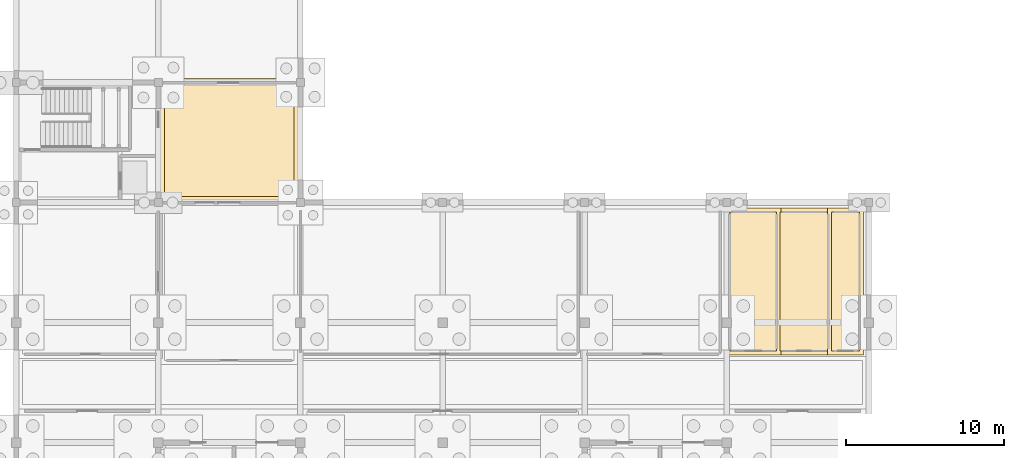
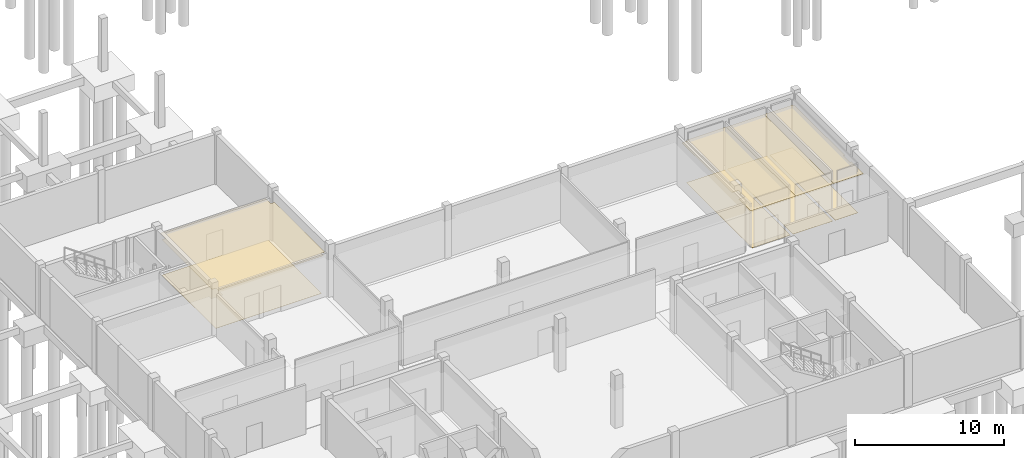
# One storey, part 27 of 28: 8 coverings.
"""IFC4 building model written with IfcOpenShell, lengths in metres."""

import ifcopenshell
import ifcopenshell.guid

model = None  # the IFC model being written
_history = None  # IfcOwnerHistory: only IFC2X3 demands one
_inside = {}  # id of a spatial element -> (the spatial element, [elements in it])
_under = {}  # id of a project, library or spatial element -> (it, [spatial elements below it])
_declared = {}  # id of a project -> (the project, [libraries it declares])
_typed = {}  # id of a type object -> (the type object, [elements of that type])
_made_of = {}  # id of a material, layer set ... -> (it, [elements and type objects made of it])


def new_model(schema):
    """Start an empty IFC model of exactly this schema.

    Asked for "IFC4X3", IfcOpenShell would pick the latest addendum, in which some entities
    have other attributes; the version numbers below select the first issue.
    IFC2X3 requires an IfcOwnerHistory on every rooted entity: one is made here for all.
    """
    global model, _history
    if schema == "IFC4X3":
        model = ifcopenshell.file(schema_version=(4, 3, 0, 0))
    else:
        model = ifcopenshell.file(schema=schema)
    _inside.clear()
    _under.clear()
    _declared.clear()
    _typed.clear()
    _made_of.clear()
    _history = None
    if model.schema == "IFC2X3":
        org = make("IfcOrganization", Name="unknown")
        user = make(
            "IfcPersonAndOrganization",
            ThePerson=make("IfcPerson", FamilyName="unknown"),
            TheOrganization=org,
        )
        app = make(
            "IfcApplication",
            ApplicationDeveloper=org,
            Version="unknown",
            ApplicationFullName="unknown",
            ApplicationIdentifier="unknown",
        )
        _history = make(
            "IfcOwnerHistory",
            OwningUser=user,
            OwningApplication=app,
            ChangeAction="ADDED",
            CreationDate=0,
        )
    return model


def make(cls, **values):
    """One entity of the class cls with the attributes given. An attribute that is None is left unset."""
    return model.create_entity(
        cls, **{name: value for name, value in values.items() if value is not None}
    )


def rooted(cls, **values):
    """An entity with a GlobalId (a new one), such as an element, a storey or a relation."""
    return make(cls, GlobalId=ifcopenshell.guid.new(), OwnerHistory=_history, **values)


def si_unit(unit_type, name, prefix=None):
    """IfcSIUnit, for example si_unit("LENGTHUNIT", "METRE", prefix="MILLI")."""
    return make("IfcSIUnit", UnitType=unit_type, Prefix=prefix, Name=name)


def assignment(units):
    """IfcUnitAssignment: the units of a project."""
    return None if units is None else make("IfcUnitAssignment", Units=units)


def point(xyz):
    """IfcCartesianPoint."""
    return None if xyz is None else make("IfcCartesianPoint", Coordinates=xyz)


def direction(xyz):
    """IfcDirection."""
    return None if xyz is None else make("IfcDirection", DirectionRatios=xyz)


def frame(location, z_axis=None, x_axis=None):
    """IfcAxis2Placement3D, a coordinate frame: its origin and axes. An axis left out is left unset."""
    return make(
        "IfcAxis2Placement3D",
        Location=point(location),
        Axis=direction(z_axis),
        RefDirection=direction(x_axis),
    )


def origin():
    """The frame at (0, 0, 0) with its axes left unset."""
    return frame((0.0, 0.0, 0.0))


def place(relative_to, where):
    """IfcLocalPlacement: puts the frame where relative to a parent placement (None: the world)."""
    return make(
        "IfcLocalPlacement", PlacementRelTo=relative_to, RelativePlacement=where
    )


def context(
    kind, dimensions, precision=None, world=None, true_north=None, identifier=None
):
    """IfcGeometricRepresentationContext, for example the 3D "Model" context."""
    return make(
        "IfcGeometricRepresentationContext",
        ContextIdentifier=identifier,
        ContextType=kind,
        CoordinateSpaceDimension=dimensions,
        Precision=precision,
        WorldCoordinateSystem=world,
        TrueNorth=true_north,
    )


def subcontext(parent, identifier, kind, view, scale=None):
    """IfcGeometricRepresentationSubContext, for example "Body" below "Model"."""
    return make(
        "IfcGeometricRepresentationSubContext",
        ContextIdentifier=identifier,
        ContextType=kind,
        ParentContext=parent,
        TargetScale=scale,
        TargetView=view,
    )


def project(units=None, contexts=None):
    """IfcProject with its units and contexts."""
    return rooted(
        "IfcProject",
        Name="project",
        RepresentationContexts=contexts,
        UnitsInContext=assignment(units),
    )


def spatial(cls, under=None, at=None, **own):
    """A site, building, storey or space (cls), placed at a placement, below another one or the project."""
    s = rooted(cls, ObjectPlacement=at, **own)
    if under is not None:
        _under.setdefault(under.id(), (under, []))[1].append(s)
    return s


def polyline(points):
    """IfcPolyline through the points."""
    return make("IfcPolyline", Points=[point(p) for p in points])


def outline(outer, holes=None, kind="AREA"):
    """IfcArbitraryClosedProfileDef: a profile drawn as a closed curve; with holes, ...WithVoids."""
    if holes is None:
        return make("IfcArbitraryClosedProfileDef", ProfileType=kind, OuterCurve=outer)
    return make(
        "IfcArbitraryProfileDefWithVoids",
        ProfileType=kind,
        OuterCurve=outer,
        InnerCurves=holes,
    )


def extrude(swept, where, along, depth):
    """IfcExtrudedAreaSolid: the profile swept, set in the frame where, extruded along a direction by depth."""
    return make(
        "IfcExtrudedAreaSolid",
        SweptArea=swept,
        Position=where,
        ExtrudedDirection=direction(along),
        Depth=depth,
    )


def shape(context_of_items, identifier, shape_type, items):
    """IfcShapeRepresentation: the items that make up one representation, for example the "Body"."""
    return make(
        "IfcShapeRepresentation",
        ContextOfItems=context_of_items,
        RepresentationIdentifier=identifier,
        RepresentationType=shape_type,
        Items=items,
    )


def material(Name=None, Category=None):
    """IfcMaterial."""
    return make("IfcMaterial", Name=Name, Category=Category)


def layer(
    of_material, thickness, ventilated=None, Name=None, Category=None, Priority=None
):
    """IfcMaterialLayer: one layer of a wall or slab, of a material (None: an air gap)."""
    return make(
        "IfcMaterialLayer",
        Material=of_material,
        LayerThickness=thickness,
        IsVentilated=ventilated,
        Name=Name,
        Category=Category,
        Priority=Priority,
    )


def layer_set(layers, Name=None):
    """IfcMaterialLayerSet."""
    return make("IfcMaterialLayerSet", MaterialLayers=layers, LayerSetName=Name)


def made_of(thing, what):
    """Note that an element or type object is made of a material, layer set ...; save() writes the relation."""
    if what is not None:
        _made_of.setdefault(what.id(), (what, []))[1].append(thing)
    return thing


def type_object(cls, material=None, **own):
    """A type object (cls), such as IfcWallType, which elements share."""
    return made_of(rooted(cls, **own), material)


def element(
    cls,
    number,
    at=None,
    inside=None,
    cuts=None,
    type_object=None,
    material=None,
    context=None,
    identifier="Body",
    shape_type=None,
    held_by="IfcProductDefinitionShape",
    body=None,
    shapes=None,
    **own,
):
    """One element of the class cls, such as IfcWall. Its Tag is "e" and its number.

    at: its placement. inside: the storey or other place that contains it. cuts: it is an
    opening in that element (IfcRelVoidsElement). A single representation is given by context,
    identifier, shape_type and body (its items); several are given by shapes. held_by: the class
    of the entity that holds the representations. save() writes the other relations.
    """
    e = rooted(cls, Tag="e%d" % number, ObjectPlacement=at, **own)
    if body is not None:
        shapes = [shape(context, identifier, shape_type, body)]
    if shapes is not None:
        e.Representation = make(held_by, Representations=shapes)
    if inside is not None:
        _inside.setdefault(inside.id(), (inside, []))[1].append(e)
    if cuts is not None:
        rooted(
            "IfcRelVoidsElement", RelatingBuildingElement=cuts, RelatedOpeningElement=e
        )
    if type_object is not None:
        _typed.setdefault(type_object.id(), (type_object, []))[1].append(e)
    return made_of(e, material)


def aggregate(whole, parts):
    """IfcRelAggregates: a whole, such as a stair, and the parts it consists of."""
    return rooted("IfcRelAggregates", RelatingObject=whole, RelatedObjects=parts)


def save(model, path):
    """Write the relations noted so far, then the file.

    IfcRelAggregates (storeys below a building ...), IfcRelContainedInSpatialStructure (elements
    in a storey), IfcRelDefinesByType, IfcRelAssociatesMaterial and IfcRelDeclares: one each for
    every whole, place, type object, material and project.
    """
    for whole, parts in _under.values():
        aggregate(whole, parts)
    for where, things in _inside.values():
        rooted(
            "IfcRelContainedInSpatialStructure",
            RelatedElements=things,
            RelatingStructure=where,
        )
    for kind, things in _typed.values():
        rooted("IfcRelDefinesByType", RelatedObjects=things, RelatingType=kind)
    for what, things in _made_of.values():
        rooted("IfcRelAssociatesMaterial", RelatedObjects=things, RelatingMaterial=what)
    for by, libraries in _declared.values():
        rooted("IfcRelDeclares", RelatingContext=by, RelatedDefinitions=libraries)
    model.write(path)


model = new_model("IFC4")

# Units and contexts
model_context = context("Model", 3, precision=1e-05, world=origin(), true_north=direction((0.0, 1.0)))
body_context = subcontext(model_context, "Body", "Model", "MODEL_VIEW")
ifc_project = project(units=[si_unit("LENGTHUNIT", "METRE"), si_unit("AREAUNIT", "SQUARE_METRE"), si_unit("VOLUMEUNIT", "CUBIC_METRE"), si_unit("PLANEANGLEUNIT", "RADIAN"), si_unit("MASSUNIT", "GRAM", prefix="KILO")], contexts=[model_context])

# Site, building, storey
site_placement = place(None, origin())
site = spatial("IfcSite", under=ifc_project, at=site_placement, CompositionType="ELEMENT")
building_placement = place(site_placement, origin())
building = spatial("IfcBuilding", under=site, at=building_placement, Name="Caisbarro Railhouse Central Library", CompositionType="ELEMENT")
storey_placement = place(building_placement, frame((0.0, 0.0, -4.320068359375)))
storey = spatial("IfcBuildingStorey", under=building, at=storey_placement, Name="B01", CompositionType="ELEMENT", Elevation=-4.320068359375)

# Coverings
ifc_material_1 = material(Name="Perforated mineral-fibre acoustic ceiling tile")
ifc_layer_1 = layer(ifc_material_1, 0.01806640625, Name="Perforated mineral-fibre acoustic ceiling tile")
ifc_layer_set_1 = layer_set([ifc_layer_1], Name="Perforated mineral-fibre acoustic ceiling tile")
covering_type_1 = type_object("IfcCoveringType", Name="COV-CL01", PredefinedType="CEILING", material=ifc_layer_set_1)
covering_1_placement = place(storey_placement, frame((0.0, 0.0, 3.25)))
element("IfcCovering", 1, at=covering_1_placement, inside=storey, type_object=covering_type_1, Name="CL01 acoustic ceiling Male WC B01", PredefinedType="CEILING", context=body_context, shape_type="SweptSolid", body=[
    extrude(outline(polyline([(99.43994140625, 22.360107421875), (99.43994140625, 23.239990234375), (98.93994140625, 23.239990234375), (98.93994140625, 29.9599609375), (99.43994140625, 29.9599609375), (99.43994140625, 30.06005859375), (102.427978515625, 30.06005859375), (102.427978515625, 20.739990234375), (98.93994140625, 20.739990234375), (98.93994140625, 22.360107421875), (99.43994140625, 22.360107421875)])), origin(), (0.0, 0.0, 1.0), 0.01806640625),
])
covering_2_placement = place(storey_placement, frame((0.0, 0.0, 3.25)))
element("IfcCovering", 2, at=covering_2_placement, inside=storey, type_object=covering_type_1, Name="CL01 acoustic ceiling Female WC B01", PredefinedType="CEILING", context=body_context, shape_type="SweptSolid", body=[
    extrude(outline(polyline([(102.10791015625, 20.739990234375), (102.10791015625, 30.06005859375), (105.696044921875, 30.06005859375), (105.696044921875, 20.739990234375), (102.10791015625, 20.739990234375)])), origin(), (0.0, 0.0, 1.0), 0.01806640625),
])
covering_3_placement = place(storey_placement, frame((0.0, 0.0, 3.25)))
element("IfcCovering", 3, at=covering_3_placement, inside=storey, type_object=covering_type_1, Name="CL01 acoustic ceiling Accessible WC B01", PredefinedType="CEILING", context=body_context, shape_type="SweptSolid", body=[
    extrude(outline(polyline([(107.56005859375, 30.06005859375), (107.56005859375, 29.9599609375), (107.659912109375, 29.9599609375), (107.659912109375, 23.239990234375), (107.56005859375, 23.239990234375), (107.56005859375, 22.360107421875), (107.659912109375, 22.360107421875), (107.659912109375, 20.739990234375), (105.3759765625, 20.739990234375), (105.3759765625, 30.06005859375), (107.56005859375, 30.06005859375)])), origin(), (0.0, 0.0, 1.0), 0.01806640625),
])
covering_4_placement = place(storey_placement, frame((0.0, 0.0, 3.25)))
element("IfcCovering", 4, at=covering_4_placement, inside=storey, type_object=covering_type_1, Name="CL01 acoustic ceiling North Basement Vestibule", PredefinedType="CEILING", context=body_context, shape_type="SweptSolid", body=[
    extrude(outline(polyline([(71.56005859375, 30.840087890625), (71.56005859375, 30.5400390625), (63.43994140625, 30.5400390625), (63.43994140625, 30.840087890625), (63.139892578125, 30.840087890625), (63.139892578125, 37.56005859375), (63.43994140625, 37.56005859375), (63.43994140625, 38.260009765625), (71.56005859375, 38.260009765625), (71.56005859375, 37.56005859375), (71.860107421875, 37.56005859375), (71.860107421875, 30.840087890625), (71.56005859375, 30.840087890625)])), origin(), (0.0, 0.0, 1.0), 0.01806640625),
])
ifc_material_2 = material(Name="Heavy-duty acoustic linoleum flooring")
ifc_layer_2 = layer(ifc_material_2, 0.011962890625, Name="Heavy-duty acoustic linoleum flooring")
ifc_layer_set_2 = layer_set([ifc_layer_2], Name="Heavy-duty acoustic linoleum flooring")
covering_type_2 = type_object("IfcCoveringType", Name="COV-FL02", PredefinedType="FLOORING", material=ifc_layer_set_2)
covering_5_placement = place(storey_placement, origin())
element("IfcCovering", 5, at=covering_5_placement, inside=storey, type_object=covering_type_2, Name="FL02 flooring Male WC B01", PredefinedType="FLOORING", context=body_context, shape_type="SweptSolid", body=[
    extrude(outline(polyline([(99.199951171875, 21.0), (102.16796875, 21.0), (102.16796875, 29.800048828125), (99.199951171875, 29.800048828125), (99.199951171875, 21.0)])), origin(), (0.0, 0.0, 1.0), 0.011962890625),
])
covering_6_placement = place(storey_placement, origin())
element("IfcCovering", 6, at=covering_6_placement, inside=storey, type_object=covering_type_2, Name="FL02 flooring Female WC B01", PredefinedType="FLOORING", context=body_context, shape_type="SweptSolid", body=[
    extrude(outline(polyline([(102.367919921875, 21.0), (105.43603515625, 21.0), (105.43603515625, 29.800048828125), (102.367919921875, 29.800048828125), (102.367919921875, 21.0)])), origin(), (0.0, 0.0, 1.0), 0.011962890625),
])
covering_7_placement = place(storey_placement, origin())
element("IfcCovering", 7, at=covering_7_placement, inside=storey, type_object=covering_type_2, Name="FL02 flooring Accessible WC B01", PredefinedType="FLOORING", context=body_context, shape_type="SweptSolid", body=[
    extrude(outline(polyline([(105.635986328125, 21.0), (107.39990234375, 21.0), (107.39990234375, 29.800048828125), (105.635986328125, 29.800048828125), (105.635986328125, 21.0)])), origin(), (0.0, 0.0, 1.0), 0.011962890625),
])
covering_8_placement = place(storey_placement, origin())
element("IfcCovering", 8, at=covering_8_placement, inside=storey, type_object=covering_type_2, Name="FL02 flooring North Basement Vestibule", PredefinedType="FLOORING", context=body_context, shape_type="SweptSolid", body=[
    extrude(outline(polyline([(63.39990234375, 30.800048828125), (71.60009765625, 30.800048828125), (71.60009765625, 38.0), (63.39990234375, 38.0), (63.39990234375, 30.800048828125)])), origin(), (0.0, 0.0, 1.0), 0.011962890625),
])

save(model, "model.ifc")
